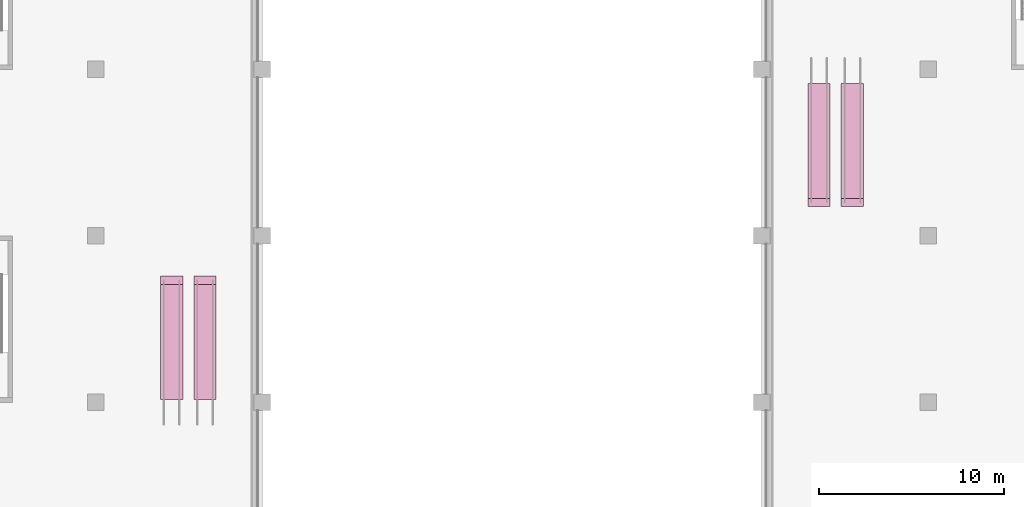
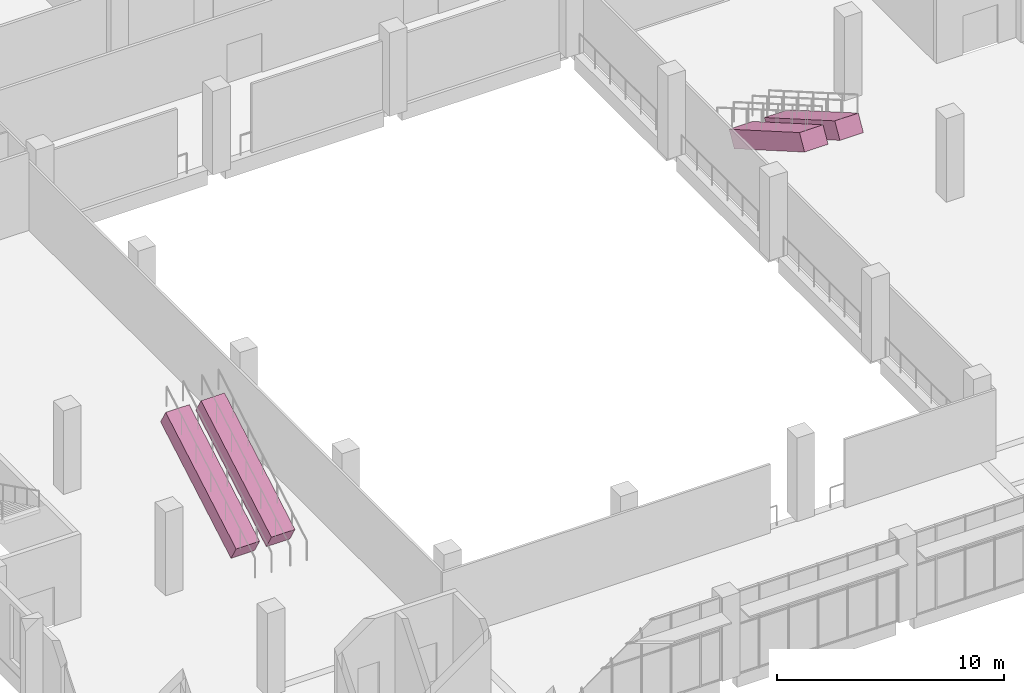
# One storey, part 88 of 88: 4 transport elements.
"""IFC4 building model written with IfcOpenShell, lengths in metres."""

from ifc_helpers import new_model, si_unit, direction, frame, origin, origin_2d, place, context, subcontext, project, spatial, rectangle, extrude, material, material_profile, profile_set, type_object, element, save


model = new_model("IFC4")

# Units and contexts
model_context = context("Model", 3, precision=1e-05, world=origin(), true_north=direction((0.0, 1.0)))
body_context = subcontext(model_context, "Body", "Model", "MODEL_VIEW")
ifc_project = project(units=[si_unit("LENGTHUNIT", "METRE"), si_unit("AREAUNIT", "SQUARE_METRE"), si_unit("VOLUMEUNIT", "CUBIC_METRE"), si_unit("PLANEANGLEUNIT", "RADIAN"), si_unit("MASSUNIT", "GRAM", prefix="KILO")], contexts=[model_context])

# Site, building, storey
site_placement = place(None, origin())
site = spatial("IfcSite", under=ifc_project, at=site_placement, CompositionType="ELEMENT")
building_placement = place(site_placement, origin())
building = spatial("IfcBuilding", under=site, at=building_placement, Name="Guidao Yard Department Store", CompositionType="ELEMENT")
storey_placement = place(building_placement, frame((0.0, 0.0, 6.0)))
storey = spatial("IfcBuildingStorey", under=building, at=storey_placement, Name="L01", CompositionType="ELEMENT", Elevation=6.0)

# Transport elements
ifc_material = material(Name="Steel Q235", Category="steel")
ifc_material_profile = material_profile(ifc_material, rectangle(XDim=1.199951171875, YDim=0.89990234375, at=origin_2d()), Name="Escalator 800 step 30 degrees")
ifc_profile_set = profile_set([ifc_material_profile], Name="Steel Q235")
transport_element_type = type_object("IfcTransportElementType", Name="Escalator 800 step 30 degrees", PredefinedType="ESCALATOR", material=ifc_profile_set)
for number, where, z_axis, x_axis, name in (
    (1, (13.10009765625, 63.375, 0.3896484375), (0.0, 0.866008376869, 0.500029490323), (-1.0, 0.0, 0.0), "Escalator EH3 up"),
    (2, (14.89990234375, 63.375, 0.3896484375), (0.0, 0.866008376869, 0.500029490323), (-1.0, 0.0, 0.0), "Escalator EH3 down"),
    (3, (48.10009765625, 80.02490234375, 0.3896484375), (0.0, -0.866008376869, 0.500029490323), (1.0, 0.0, 0.0), "Escalator EH4 up"),
    (4, (49.89990234375, 80.02490234375, 0.3896484375), (0.0, -0.866008376869, 0.500029490323), (1.0, 0.0, 0.0), "Escalator EH4 down"),
):
    element("IfcTransportElement", number, at=place(storey_placement, frame(where, z_axis=z_axis, x_axis=x_axis)), inside=storey, type_object=transport_element_type, Name=name, PredefinedType="ESCALATOR", context=body_context, shape_type="SweptSolid", body=[
        extrude(rectangle(XDim=1.199951171875, YDim=0.89990234375, at=origin_2d()), origin(), (0.0, 0.0, 1.0), 7.18115234375),
    ])

save(model, "model.ifc")
